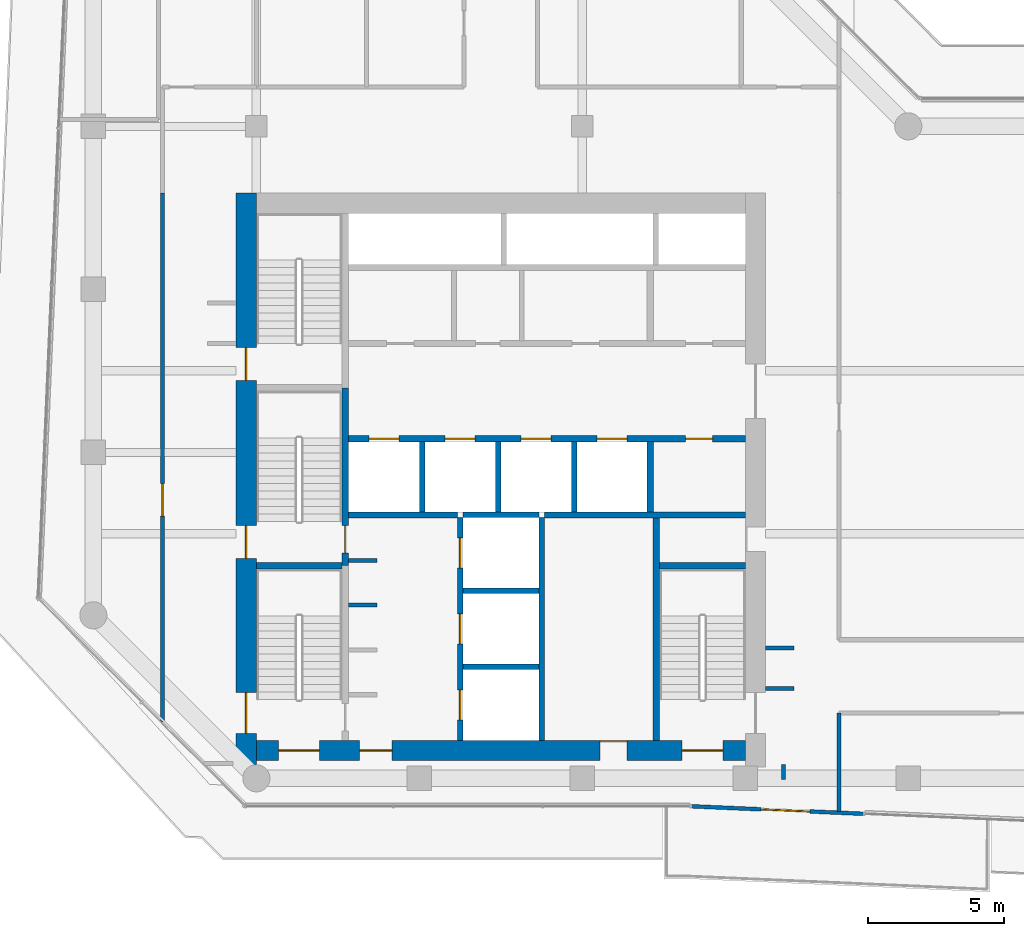
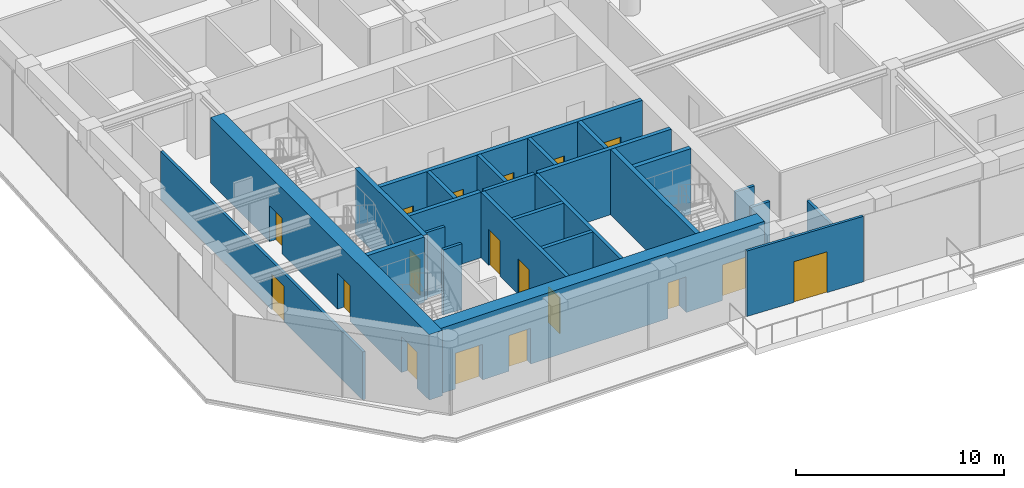
# One storey, part 20 of 25: 26 walls, 18 doors, 18 openings.
"""IFC4 building model written with IfcOpenShell, lengths in metres."""

from ifc_helpers import new_model, si_unit, direction, frame, frame_2d, origin, place, context, subcontext, project, spatial, rectangle, extrude, material, layer, layer_set, type_object, element, fill, save


model = new_model("IFC4")

# Units and contexts
model_context = context("Model", 3, precision=1e-05, world=origin(), true_north=direction((0.0, 1.0)))
body_context = subcontext(model_context, "Body", "Model", "MODEL_VIEW")
ifc_project = project(units=[si_unit("LENGTHUNIT", "METRE"), si_unit("AREAUNIT", "SQUARE_METRE"), si_unit("VOLUMEUNIT", "CUBIC_METRE"), si_unit("PLANEANGLEUNIT", "RADIAN"), si_unit("MASSUNIT", "GRAM", prefix="KILO")], contexts=[model_context])

# Site, building, storey
site_placement = place(None, origin())
site = spatial("IfcSite", under=ifc_project, at=site_placement, CompositionType="ELEMENT")
building_placement = place(site_placement, origin())
building = spatial("IfcBuilding", under=site, at=building_placement, Name="Welwitschia Terrace Campus", CompositionType="ELEMENT")
storey_placement = place(building_placement, frame((0.0, 0.0, 121.39990234375)))
storey = spatial("IfcBuildingStorey", under=building, at=storey_placement, Name="L27", CompositionType="ELEMENT", Elevation=121.39990234375)

# Wall, opening, door
ifc_material_1 = material(Name="Concrete C40/50", Category="concrete")
ifc_layer_1 = layer(ifc_material_1, 0.139892578125)
ifc_layer_set_1 = layer_set([ifc_layer_1], Name="Concrete C40/50")
wall_type_1 = type_object("IfcWallType", Name="Clad wall 140", PredefinedType="SOLIDWALL", material=ifc_layer_set_1)
wall_1_placement = place(storey_placement, frame((22.019775390625, 2.969970703125, 0.0), z_axis=(0.0, 0.0, 1.0), x_axis=(0.999048576726, -0.043611252471, 0.0)))
wall_1 = element("IfcWall", 1, at=wall_1_placement, inside=storey, type_object=wall_type_1, Name="Clad wall L27.terrace door 0", PredefinedType="SOLIDWALL", context=body_context, shape_type="SweptSolid", body=[
    extrude(rectangle(XDim=6.33154296875, YDim=0.139892578125, at=frame_2d((3.165771484375, 0.0))), origin(), (0.0, 0.0, 1.0), 3.85009765625),
])
opening_1_placement = place(wall_1_placement, frame((2.56591796875, 0.0, 0.0)))
opening_1 = element("IfcOpeningElement", 2, at=opening_1_placement, cuts=wall_1, Name="Opening DE3", PredefinedType="OPENING", context=body_context, shape_type="SweptSolid", body=[
    extrude(rectangle(XDim=1.800048828125, YDim=2.39990234375, at=frame_2d((0.89990234375, 1.199951171875))), frame((0.0, 0.079833984375, 0.0), z_axis=(0.0, -1.0, 0.0), x_axis=(1.0, 0.0, 0.0)), (0.0, 0.0, 1.0), 0.159912109375),
])
ifc_material_2 = material(Name="Bronze anodised aluminium and glass", Category="aluminium")
door_type_1 = type_object("IfcDoorType", Name="Terrace door 1800x2400", OperationType="DOUBLE_DOOR_DOUBLE_SWING", PredefinedType="DOOR", material=ifc_material_2)
door_1_placement = place(opening_1_placement, origin())
door_1 = element("IfcDoor", 3, at=door_1_placement, inside=storey, type_object=door_type_1, Name="Door L27:T0", OperationType="DOUBLE_DOOR_DOUBLE_SWING", OverallHeight=2.39990234375, OverallWidth=1.800048828125, PredefinedType="DOOR", context=body_context, shape_type="SweptSolid", body=[
    extrude(rectangle(XDim=1.800048828125, YDim=2.39990234375, at=frame_2d((0.89990234375, 1.199951171875))), frame((0.0, 0.02490234375, 0.0), z_axis=(0.0, -1.0, 0.0), x_axis=(1.0, 0.0, 0.0)), (0.0, 0.0, 1.0), 0.050048828125),
])
fill(opening_1, door_1)

# Walls
ifc_material_3 = material(Name="Concrete C32/40", Category="concrete")
ifc_layer_2 = layer(ifc_material_3, 0.22509765625)
ifc_layer_set_2 = layer_set([ifc_layer_2], Name="Concrete C32/40")
wall_type_2 = type_object("IfcWallType", Name="Core partition 225 Concrete C32/40", PredefinedType="PARTITIONING", material=ifc_layer_set_2)
wall_2_placement = place(storey_placement, frame((9.39990234375, 13.699951171875, 0.0), z_axis=(0.0, 0.0, 1.0), x_axis=(1.0, 0.0, 0.0)))
element("IfcWall", 4, at=wall_2_placement, inside=storey, type_object=wall_type_2, Name="Shaft wall", PredefinedType="PARTITIONING", context=body_context, shape_type="SweptSolid", body=[
    extrude(rectangle(XDim=4.0, YDim=0.22509765625, at=frame_2d((2.0, 0.0))), origin(), (0.0, 0.0, 1.0), 3.85009765625),
])
wall_3_placement = place(storey_placement, frame((16.60009765625, 13.699951171875, 0.0), z_axis=(0.0, 0.0, 1.0), x_axis=(1.0, 0.0, 0.0)))
element("IfcWall", 5, at=wall_3_placement, inside=storey, type_object=wall_type_2, Name="Shaft wall", PredefinedType="PARTITIONING", context=body_context, shape_type="SweptSolid", body=[
    extrude(rectangle(XDim=7.39990234375, YDim=0.22509765625, at=frame_2d((3.699951171875, 0.0))), origin(), (0.0, 0.0, 1.0), 3.85009765625),
])

# Wall, openings, doors
wall_4_placement = place(storey_placement, frame((9.39990234375, 16.5, 0.0), z_axis=(0.0, 0.0, 1.0), x_axis=(1.0, 0.0, 0.0)))
wall_4 = element("IfcWall", 6, at=wall_4_placement, inside=storey, type_object=wall_type_2, Name="Shaft wall", PredefinedType="PARTITIONING", context=body_context, shape_type="SweptSolid", body=[
    extrude(rectangle(XDim=14.60009765625, YDim=0.22509765625, at=frame_2d((7.300048828125, 0.0))), origin(), (0.0, 0.0, 1.0), 3.85009765625),
])
opening_2_placement = place(wall_4_placement, frame((0.75, 0.0, 0.0)))
opening_2 = element("IfcOpeningElement", 7, at=opening_2_placement, cuts=wall_4, Name="Opening LD", PredefinedType="OPENING", context=body_context, shape_type="SweptSolid", body=[
    extrude(rectangle(XDim=1.10009765625, YDim=2.10009765625, at=frame_2d((0.550048828125, 1.050048828125))), frame((0.0, 0.12255859375, 0.0), z_axis=(0.0, -1.0, 0.0), x_axis=(1.0, 0.0, 0.0)), (0.0, 0.0, 1.0), 0.2451171875),
])
opening_3_placement = place(wall_4_placement, frame((3.550048828125, 0.0, 0.0)))
opening_3 = element("IfcOpeningElement", 8, at=opening_3_placement, cuts=wall_4, Name="Opening LD", PredefinedType="OPENING", context=body_context, shape_type="SweptSolid", body=[
    extrude(rectangle(XDim=1.10009765625, YDim=2.10009765625, at=frame_2d((0.550048828125, 1.050048828125))), frame((0.0, 0.12255859375, 0.0), z_axis=(0.0, -1.0, 0.0), x_axis=(1.0, 0.0, 0.0)), (0.0, 0.0, 1.0), 0.2451171875),
])
opening_4_placement = place(wall_4_placement, frame((6.35009765625, 0.0, 0.0)))
opening_4 = element("IfcOpeningElement", 9, at=opening_4_placement, cuts=wall_4, Name="Opening LD", PredefinedType="OPENING", context=body_context, shape_type="SweptSolid", body=[
    extrude(rectangle(XDim=1.10009765625, YDim=2.10009765625, at=frame_2d((0.550048828125, 1.050048828125))), frame((0.0, 0.12255859375, 0.0), z_axis=(0.0, -1.0, 0.0), x_axis=(1.0, 0.0, 0.0)), (0.0, 0.0, 1.0), 0.2451171875),
])
opening_5_placement = place(wall_4_placement, frame((9.14990234375, 0.0, 0.0)))
opening_5 = element("IfcOpeningElement", 10, at=opening_5_placement, cuts=wall_4, Name="Opening LD", PredefinedType="OPENING", context=body_context, shape_type="SweptSolid", body=[
    extrude(rectangle(XDim=1.10009765625, YDim=2.10009765625, at=frame_2d((0.550048828125, 1.050048828125))), frame((0.0, 0.12255859375, 0.0), z_axis=(0.0, -1.0, 0.0), x_axis=(1.0, 0.0, 0.0)), (0.0, 0.0, 1.0), 0.2451171875),
])
opening_6_placement = place(wall_4_placement, frame((12.39990234375, 0.0, 0.0)))
opening_6 = element("IfcOpeningElement", 11, at=opening_6_placement, cuts=wall_4, Name="Opening DR10", PredefinedType="OPENING", context=body_context, shape_type="SweptSolid", body=[
    extrude(rectangle(XDim=1.0, YDim=2.10009765625, at=frame_2d((0.5, 1.050048828125))), frame((0.0, 0.12255859375, 0.0), z_axis=(0.0, -1.0, 0.0), x_axis=(1.0, 0.0, 0.0)), (0.0, 0.0, 1.0), 0.2451171875),
])
ifc_material_4 = material(Name="Steel S275", Category="steel")
door_type_2 = type_object("IfcDoorType", Name="Core door DR10", OperationType="SINGLE_SWING_LEFT", PredefinedType="DOOR", material=ifc_material_4)
door_2_placement = place(opening_6_placement, origin())
door_2 = element("IfcDoor", 12, at=door_2_placement, inside=storey, type_object=door_type_2, Name="Door EL-D", OperationType="SINGLE_SWING_RIGHT", OverallHeight=2.10009765625, OverallWidth=1.0, PredefinedType="DOOR", context=body_context, shape_type="SweptSolid", body=[
    extrude(rectangle(XDim=1.0, YDim=2.10009765625, at=frame_2d((0.5, 1.050048828125))), frame((0.0, 0.02490234375, 0.0), z_axis=(0.0, -1.0, 0.0), x_axis=(1.0, 0.0, 0.0)), (0.0, 0.0, 1.0), 0.050048828125),
])
fill(opening_6, door_2)
ifc_material_5 = material(Name="Stainless steel 304", Category="steel")
door_type_3 = type_object("IfcDoorType", Name="Lift landing door", OperationType="DOUBLE_DOOR_SLIDING", PredefinedType="DOOR", material=ifc_material_5)
door_3_placement = place(opening_2_placement, origin())
door_3 = element("IfcDoor", 13, at=door_3_placement, inside=storey, type_object=door_type_3, Name="Landing door LR1", OperationType="DOUBLE_DOOR_SLIDING", OverallHeight=2.10009765625, OverallWidth=1.10009765625, PredefinedType="DOOR", context=body_context, shape_type="SweptSolid", body=[
    extrude(rectangle(XDim=1.10009765625, YDim=2.10009765625, at=frame_2d((0.550048828125, 1.050048828125))), frame((0.0, 0.02490234375, 0.0), z_axis=(0.0, -1.0, 0.0), x_axis=(1.0, 0.0, 0.0)), (0.0, 0.0, 1.0), 0.050048828125),
])
fill(opening_2, door_3)
door_4_placement = place(opening_3_placement, origin())
door_4 = element("IfcDoor", 14, at=door_4_placement, inside=storey, type_object=door_type_3, Name="Landing door LR2", OperationType="DOUBLE_DOOR_SLIDING", OverallHeight=2.10009765625, OverallWidth=1.10009765625, PredefinedType="DOOR", context=body_context, shape_type="SweptSolid", body=[
    extrude(rectangle(XDim=1.10009765625, YDim=2.10009765625, at=frame_2d((0.550048828125, 1.050048828125))), frame((0.0, 0.02490234375, 0.0), z_axis=(0.0, -1.0, 0.0), x_axis=(1.0, 0.0, 0.0)), (0.0, 0.0, 1.0), 0.050048828125),
])
fill(opening_3, door_4)
door_5_placement = place(opening_4_placement, origin())
door_5 = element("IfcDoor", 15, at=door_5_placement, inside=storey, type_object=door_type_3, Name="Landing door LR3", OperationType="DOUBLE_DOOR_SLIDING", OverallHeight=2.10009765625, OverallWidth=1.10009765625, PredefinedType="DOOR", context=body_context, shape_type="SweptSolid", body=[
    extrude(rectangle(XDim=1.10009765625, YDim=2.10009765625, at=frame_2d((0.550048828125, 1.050048828125))), frame((0.0, 0.02490234375, 0.0), z_axis=(0.0, -1.0, 0.0), x_axis=(1.0, 0.0, 0.0)), (0.0, 0.0, 1.0), 0.050048828125),
])
fill(opening_4, door_5)
door_6_placement = place(opening_5_placement, origin())
door_6 = element("IfcDoor", 16, at=door_6_placement, inside=storey, type_object=door_type_3, Name="Landing door LR4", OperationType="DOUBLE_DOOR_SLIDING", OverallHeight=2.10009765625, OverallWidth=1.10009765625, PredefinedType="DOOR", context=body_context, shape_type="SweptSolid", body=[
    extrude(rectangle(XDim=1.10009765625, YDim=2.10009765625, at=frame_2d((0.550048828125, 1.050048828125))), frame((0.0, 0.02490234375, 0.0), z_axis=(0.0, -1.0, 0.0), x_axis=(1.0, 0.0, 0.0)), (0.0, 0.0, 1.0), 0.050048828125),
])
fill(opening_5, door_6)

# Walls
wall_5_placement = place(storey_placement, frame((20.5, 13.800048828125, 0.0), z_axis=(0.0, 0.0, 1.0), x_axis=(0.0, 1.0, 0.0)))
element("IfcWall", 17, at=wall_5_placement, inside=storey, type_object=wall_type_2, Name="Shaft wall", PredefinedType="PARTITIONING", context=body_context, shape_type="SweptSolid", body=[
    extrude(rectangle(XDim=2.599853515625, YDim=0.22509765625, at=frame_2d((1.2998046875, 0.0))), origin(), (0.0, 0.0, 1.0), 3.85009765625),
])
ifc_material_6 = material(Name="Concrete C50/60", Category="concrete")
ifc_layer_3 = layer(ifc_material_6, 0.14990234375)
ifc_layer_set_3 = layer_set([ifc_layer_3], Name="Concrete C50/60")
wall_type_3 = type_object("IfcWallType", Name="Core wall 150 Concrete C50/60", PredefinedType="SHEAR", material=ifc_layer_set_3)
for number, where, z_axis, x_axis, name in (
    (18, (9.39990234375, 10.375, 0.0), (0.0, 0.0, 1.0), (1.0, 0.0, 0.0), "Core wall"),
    (19, (9.39990234375, 12.02490234375, 0.0), (0.0, 0.0, 1.0), (1.0, 0.0, 0.0), "Core wall"),
):
    element("IfcWall", number, at=place(storey_placement, frame(where, z_axis=z_axis, x_axis=x_axis)), inside=storey, type_object=wall_type_3, Name=name, PredefinedType="SHEAR", context=body_context, shape_type="SweptSolid", body=[
        extrude(rectangle(XDim=1.050048828125, YDim=0.14990234375, at=frame_2d((0.52490234375, 0.0))), origin(), (0.0, 0.0, 1.0), 3.85009765625),
    ])
ifc_material_7 = material(Name="Concrete C50/60", Category="concrete")
ifc_layer_4 = layer(ifc_material_7, 0.199951171875)
ifc_layer_set_4 = layer_set([ifc_layer_4], Name="Concrete C50/60")
wall_type_4 = type_object("IfcWallType", Name="Core wall 200 Concrete C50/60", PredefinedType="SHEAR", material=ifc_layer_set_4)
for number, where, z_axis, x_axis, name in (
    (20, (13.60009765625, 8.10009765625, 0.0), (0.0, 0.0, 1.0), (1.0, 0.0, 0.0), "Core wall"),
    (21, (13.60009765625, 10.89990234375, 0.0), (0.0, 0.0, 1.0), (1.0, 0.0, 0.0), "Core wall"),
    (22, (13.60009765625, 13.699951171875, 0.0), (0.0, 0.0, 1.0), (1.0, 0.0, 0.0), "Core wall"),
):
    element("IfcWall", number, at=place(storey_placement, frame(where, z_axis=z_axis, x_axis=x_axis)), inside=storey, type_object=wall_type_4, Name=name, PredefinedType="SHEAR", context=body_context, shape_type="SweptSolid", body=[
        extrude(rectangle(XDim=2.7998046875, YDim=0.199951171875, at=frame_2d((1.39990234375, 0.0))), origin(), (0.0, 0.0, 1.0), 3.85009765625),
    ])

# Wall, openings, doors
wall_6_placement = place(storey_placement, frame((13.5, 5.39990234375, 0.0), z_axis=(0.0, 0.0, 1.0), x_axis=(0.0, 1.0, 0.0)))
wall_6 = element("IfcWall", 23, at=wall_6_placement, inside=storey, type_object=wall_type_4, Name="Core wall", PredefinedType="SHEAR", context=body_context, shape_type="SweptSolid", body=[
    extrude(rectangle(XDim=8.2001953125, YDim=0.199951171875, at=frame_2d((4.10009765625, 0.0))), origin(), (0.0, 0.0, 1.0), 3.85009765625),
])
opening_7_placement = place(wall_6_placement, frame((0.75, 0.0, 0.0)))
opening_7 = element("IfcOpeningElement", 24, at=opening_7_placement, cuts=wall_6, Name="Opening LD", PredefinedType="OPENING", context=body_context, shape_type="SweptSolid", body=[
    extrude(rectangle(XDim=1.10009765625, YDim=2.10009765625, at=frame_2d((0.550048828125, 1.050048828125))), frame((0.0, 0.10986328125, 0.0), z_axis=(0.0, -1.0, 0.0), x_axis=(1.0, 0.0, 0.0)), (0.0, 0.0, 1.0), 0.219970703125),
])
opening_8_placement = place(wall_6_placement, frame((3.550048828125, 0.0, 0.0)))
opening_8 = element("IfcOpeningElement", 25, at=opening_8_placement, cuts=wall_6, Name="Opening LD", PredefinedType="OPENING", context=body_context, shape_type="SweptSolid", body=[
    extrude(rectangle(XDim=1.10009765625, YDim=2.10009765625, at=frame_2d((0.550048828125, 1.050048828125))), frame((0.0, 0.10986328125, 0.0), z_axis=(0.0, -1.0, 0.0), x_axis=(1.0, 0.0, 0.0)), (0.0, 0.0, 1.0), 0.219970703125),
])
opening_9_placement = place(wall_6_placement, frame((6.35009765625, 0.0, 0.0)))
opening_9 = element("IfcOpeningElement", 26, at=opening_9_placement, cuts=wall_6, Name="Opening LD", PredefinedType="OPENING", context=body_context, shape_type="SweptSolid", body=[
    extrude(rectangle(XDim=1.10009765625, YDim=2.10009765625, at=frame_2d((0.550048828125, 1.050048828125))), frame((0.0, 0.10986328125, 0.0), z_axis=(0.0, -1.0, 0.0), x_axis=(1.0, 0.0, 0.0)), (0.0, 0.0, 1.0), 0.219970703125),
])
door_7_placement = place(opening_7_placement, origin())
door_7 = element("IfcDoor", 27, at=door_7_placement, inside=storey, type_object=door_type_3, Name="Landing door FF1", OperationType="DOUBLE_DOOR_SLIDING", OverallHeight=2.10009765625, OverallWidth=1.10009765625, PredefinedType="DOOR", context=body_context, shape_type="SweptSolid", body=[
    extrude(rectangle(XDim=1.10009765625, YDim=2.10009765625, at=frame_2d((0.550048828125, 1.050048828125))), frame((0.0, 0.02490234375, 0.0), z_axis=(0.0, -1.0, 0.0), x_axis=(1.0, 0.0, 0.0)), (0.0, 0.0, 1.0), 0.050048828125),
])
fill(opening_7, door_7)
door_8_placement = place(opening_8_placement, origin())
door_8 = element("IfcDoor", 28, at=door_8_placement, inside=storey, type_object=door_type_3, Name="Landing door FF2", OperationType="DOUBLE_DOOR_SLIDING", OverallHeight=2.10009765625, OverallWidth=1.10009765625, PredefinedType="DOOR", context=body_context, shape_type="SweptSolid", body=[
    extrude(rectangle(XDim=1.10009765625, YDim=2.10009765625, at=frame_2d((0.550048828125, 1.050048828125))), frame((0.0, 0.02490234375, 0.0), z_axis=(0.0, -1.0, 0.0), x_axis=(1.0, 0.0, 0.0)), (0.0, 0.0, 1.0), 0.050048828125),
])
fill(opening_8, door_8)
door_9_placement = place(opening_9_placement, origin())
door_9 = element("IfcDoor", 29, at=door_9_placement, inside=storey, type_object=door_type_3, Name="Landing door SV1", OperationType="DOUBLE_DOOR_SLIDING", OverallHeight=2.10009765625, OverallWidth=1.10009765625, PredefinedType="DOOR", context=body_context, shape_type="SweptSolid", body=[
    extrude(rectangle(XDim=1.10009765625, YDim=2.10009765625, at=frame_2d((0.550048828125, 1.050048828125))), frame((0.0, 0.02490234375, 0.0), z_axis=(0.0, -1.0, 0.0), x_axis=(1.0, 0.0, 0.0)), (0.0, 0.0, 1.0), 0.050048828125),
])
fill(opening_9, door_9)

# Walls
wall_7_placement = place(storey_placement, frame((16.5, 5.39990234375, 0.0), z_axis=(0.0, 0.0, 1.0), x_axis=(0.0, 1.0, 0.0)))
element("IfcWall", 30, at=wall_7_placement, inside=storey, type_object=wall_type_4, Name="Core wall", PredefinedType="SHEAR", context=body_context, shape_type="SweptSolid", body=[
    extrude(rectangle(XDim=8.2001953125, YDim=0.199951171875, at=frame_2d((4.10009765625, 0.0))), origin(), (0.0, 0.0, 1.0), 3.85009765625),
])
ifc_material_8 = material(Name="Concrete C50/60", Category="concrete")
ifc_layer_5 = layer(ifc_material_8, 0.25)
ifc_layer_set_5 = layer_set([ifc_layer_5], Name="Concrete C50/60")
wall_type_5 = type_object("IfcWallType", Name="Core wall 250 Concrete C50/60", PredefinedType="SHEAR", material=ifc_layer_set_5)
for number, where, z_axis, x_axis, name in (
    (31, (6.0, 11.824951171875, 0.0), (0.0, 0.0, 1.0), (1.0, 0.0, 0.0), "Core wall"),
    (32, (20.85009765625, 11.824951171875, 0.0), (0.0, 0.0, 1.0), (1.0, 0.0, 0.0), "Core wall"),
):
    element("IfcWall", number, at=place(storey_placement, frame(where, z_axis=z_axis, x_axis=x_axis)), inside=storey, type_object=wall_type_5, Name=name, PredefinedType="SHEAR", context=body_context, shape_type="SweptSolid", body=[
        extrude(rectangle(XDim=3.14990234375, YDim=0.25, at=frame_2d((1.574951171875, 0.0))), origin(), (0.0, 0.0, 1.0), 3.85009765625),
    ])

# Wall, opening, door
wall_8_placement = place(storey_placement, frame((9.27490234375, 18.375, 0.0), z_axis=(0.0, 0.0, 1.0), x_axis=(0.0, -1.0, 0.0)))
wall_8 = element("IfcWall", 33, at=wall_8_placement, inside=storey, type_object=wall_type_5, Name="Core wall", PredefinedType="SHEAR", context=body_context, shape_type="SweptSolid", body=[
    extrude(rectangle(XDim=6.550048828125, YDim=0.25, at=frame_2d((3.27490234375, 0.0))), origin(), (0.0, 0.0, 1.0), 3.85009765625),
])
opening_10_placement = place(wall_8_placement, frame((5.074951171875, 0.0, 0.0)))
opening_10 = element("IfcOpeningElement", 34, at=opening_10_placement, cuts=wall_8, Name="Opening DS10", PredefinedType="OPENING", context=body_context, shape_type="SweptSolid", body=[
    extrude(rectangle(XDim=1.0, YDim=2.10009765625, at=frame_2d((0.5, 1.050048828125))), frame((0.0, 0.135009765625, 0.0), z_axis=(0.0, -1.0, 0.0), x_axis=(1.0, 0.0, 0.0)), (0.0, 0.0, 1.0), 0.27001953125),
])
ifc_material_9 = material(Name="Steel S275", Category="steel")
door_type_4 = type_object("IfcDoorType", Name="Core door DS10", OperationType="SINGLE_SWING_LEFT", PredefinedType="DOOR", material=ifc_material_9)
door_10_placement = place(opening_10_placement, origin())
door_10 = element("IfcDoor", 35, at=door_10_placement, inside=storey, type_object=door_type_4, Name="Door S3-FL", OperationType="SINGLE_SWING_RIGHT", OverallHeight=2.10009765625, OverallWidth=1.0, PredefinedType="DOOR", context=body_context, shape_type="SweptSolid", body=[
    extrude(rectangle(XDim=1.0, YDim=2.10009765625, at=frame_2d((0.5, 1.050048828125))), frame((0.0, 0.02490234375, 0.0), z_axis=(0.0, -1.0, 0.0), x_axis=(1.0, 0.0, 0.0)), (0.0, 0.0, 1.0), 0.050048828125),
])
fill(opening_10, door_10)

# Wall
wall_9_placement = place(storey_placement, frame((20.72509765625, 5.39990234375, 0.0), z_axis=(0.0, 0.0, 1.0), x_axis=(0.0, 1.0, 0.0)))
element("IfcWall", 36, at=wall_9_placement, inside=storey, type_object=wall_type_5, Name="Core wall", PredefinedType="SHEAR", context=body_context, shape_type="SweptSolid", body=[
    extrude(rectangle(XDim=8.2001953125, YDim=0.25, at=frame_2d((4.10009765625, 0.0))), origin(), (0.0, 0.0, 1.0), 3.85009765625),
])

# Wall, openings, doors
ifc_material_10 = material(Name="Concrete C70/85", Category="concrete")
ifc_layer_6 = layer(ifc_material_10, 0.75)
ifc_layer_set_6 = layer_set([ifc_layer_6], Name="Concrete C70/85")
wall_type_6 = type_object("IfcWallType", Name="Core wall 750 Concrete C70/85", PredefinedType="SHEAR", material=ifc_layer_set_6)
wall_10_placement = place(storey_placement, frame((5.625, 4.469970703125, 0.0), z_axis=(0.0, 0.0, 1.0), x_axis=(0.0, 1.0, 0.0)))
wall_10 = element("IfcWall", 37, at=wall_10_placement, inside=storey, type_object=wall_type_6, Name="Core outer wall", PredefinedType="SHEAR", context=body_context, shape_type="SweptSolid", body=[
    extrude(rectangle(XDim=21.080078125, YDim=0.75, at=frame_2d((10.5400390625, 0.0))), origin(), (0.0, 0.0, 1.0), 3.85009765625),
])
opening_11_placement = place(wall_10_placement, frame((1.179931640625, 0.0, 0.0)))
opening_11 = element("IfcOpeningElement", 38, at=opening_11_placement, cuts=wall_10, Name="Opening DS15", PredefinedType="OPENING", context=body_context, shape_type="SweptSolid", body=[
    extrude(rectangle(XDim=1.5, YDim=2.10009765625, at=frame_2d((0.75, 1.050048828125))), frame((0.0, 0.385009765625, 0.0), z_axis=(0.0, -1.0, 0.0), x_axis=(1.0, 0.0, 0.0)), (0.0, 0.0, 1.0), 0.77001953125),
])
opening_12_placement = place(wall_10_placement, frame((7.6298828125, 0.0, 0.0)))
opening_12 = element("IfcOpeningElement", 39, at=opening_12_placement, cuts=wall_10, Name="Opening DS12", PredefinedType="OPENING", context=body_context, shape_type="SweptSolid", body=[
    extrude(rectangle(XDim=1.199951171875, YDim=2.10009765625, at=frame_2d((0.60009765625, 1.050048828125))), frame((0.0, 0.385009765625, 0.0), z_axis=(0.0, -1.0, 0.0), x_axis=(1.0, 0.0, 0.0)), (0.0, 0.0, 1.0), 0.77001953125),
])
opening_13_placement = place(wall_10_placement, frame((14.179931640625, 0.0, 0.0)))
opening_13 = element("IfcOpeningElement", 40, at=opening_13_placement, cuts=wall_10, Name="Opening DS12", PredefinedType="OPENING", context=body_context, shape_type="SweptSolid", body=[
    extrude(rectangle(XDim=1.199951171875, YDim=2.10009765625, at=frame_2d((0.60009765625, 1.050048828125))), frame((0.0, 0.385009765625, 0.0), z_axis=(0.0, -1.0, 0.0), x_axis=(1.0, 0.0, 0.0)), (0.0, 0.0, 1.0), 0.77001953125),
])
ifc_material_11 = material(Name="Steel S275", Category="steel")
door_type_5 = type_object("IfcDoorType", Name="Core door DS12", OperationType="SINGLE_SWING_LEFT", PredefinedType="DOOR", material=ifc_material_11)
door_11_placement = place(opening_12_placement, origin())
door_11 = element("IfcDoor", 41, at=door_11_placement, inside=storey, type_object=door_type_5, Name="Door S3-out", OperationType="SINGLE_SWING_LEFT", OverallHeight=2.10009765625, OverallWidth=1.199951171875, PredefinedType="DOOR", context=body_context, shape_type="SweptSolid", body=[
    extrude(rectangle(XDim=1.199951171875, YDim=2.10009765625, at=frame_2d((0.60009765625, 1.050048828125))), frame((0.0, 0.02490234375, 0.0), z_axis=(0.0, -1.0, 0.0), x_axis=(1.0, 0.0, 0.0)), (0.0, 0.0, 1.0), 0.050048828125),
])
fill(opening_12, door_11)
door_12_placement = place(opening_13_placement, origin())
door_12 = element("IfcDoor", 42, at=door_12_placement, inside=storey, type_object=door_type_5, Name="Door S4-out", OperationType="SINGLE_SWING_RIGHT", OverallHeight=2.10009765625, OverallWidth=1.199951171875, PredefinedType="DOOR", context=body_context, shape_type="SweptSolid", body=[
    extrude(rectangle(XDim=1.199951171875, YDim=2.10009765625, at=frame_2d((0.60009765625, 1.050048828125))), frame((0.0, 0.02490234375, 0.0), z_axis=(0.0, -1.0, 0.0), x_axis=(1.0, 0.0, 0.0)), (0.0, 0.0, 1.0), 0.050048828125),
])
fill(opening_13, door_12)
ifc_material_12 = material(Name="Steel S275", Category="steel")
door_type_6 = type_object("IfcDoorType", Name="Core door DS15", OperationType="DOUBLE_DOOR_SINGLE_SWING", PredefinedType="DOOR", material=ifc_material_12)
door_13_placement = place(opening_11_placement, origin())
door_13 = element("IfcDoor", 43, at=door_13_placement, inside=storey, type_object=door_type_6, Name="Door S1-out", OperationType="DOUBLE_DOOR_SINGLE_SWING", OverallHeight=2.10009765625, OverallWidth=1.5, PredefinedType="DOOR", context=body_context, shape_type="SweptSolid", body=[
    extrude(rectangle(XDim=1.5, YDim=2.10009765625, at=frame_2d((0.75, 1.050048828125))), frame((0.0, 0.02490234375, 0.0), z_axis=(0.0, -1.0, 0.0), x_axis=(1.0, 0.0, 0.0)), (0.0, 0.0, 1.0), 0.050048828125),
])
fill(opening_11, door_13)

wall_11_placement = place(storey_placement, frame((24.0, 5.02490234375, 0.0), z_axis=(0.0, 0.0, 1.0), x_axis=(-1.0, 0.0, 0.0)))
wall_11 = element("IfcWall", 44, at=wall_11_placement, inside=storey, type_object=wall_type_6, Name="Core outer wall", PredefinedType="SHEAR", context=body_context, shape_type="SweptSolid", body=[
    extrude(rectangle(XDim=18.0, YDim=0.75, at=frame_2d((9.0, 0.0))), origin(), (0.0, 0.0, 1.0), 3.85009765625),
])
opening_14_placement = place(wall_11_placement, frame((0.824951171875, 0.0, 0.0)))
opening_14 = element("IfcOpeningElement", 45, at=opening_14_placement, cuts=wall_11, Name="Opening DS15", PredefinedType="OPENING", context=body_context, shape_type="SweptSolid", body=[
    extrude(rectangle(XDim=1.5, YDim=2.10009765625, at=frame_2d((0.75, 1.050048828125))), frame((0.0, 0.385009765625, 0.0), z_axis=(0.0, -1.0, 0.0), x_axis=(1.0, 0.0, 0.0)), (0.0, 0.0, 1.0), 0.77001953125),
])
opening_15_placement = place(wall_11_placement, frame((15.675048828125, 0.0, 0.0)))
opening_15 = element("IfcOpeningElement", 46, at=opening_15_placement, cuts=wall_11, Name="Opening DS15", PredefinedType="OPENING", context=body_context, shape_type="SweptSolid", body=[
    extrude(rectangle(XDim=1.5, YDim=2.10009765625, at=frame_2d((0.75, 1.050048828125))), frame((0.0, 0.385009765625, 0.0), z_axis=(0.0, -1.0, 0.0), x_axis=(1.0, 0.0, 0.0)), (0.0, 0.0, 1.0), 0.77001953125),
])
opening_16_placement = place(wall_11_placement, frame((13.0, 0.0, 0.0)))
opening_16 = element("IfcOpeningElement", 47, at=opening_16_placement, cuts=wall_11, Name="Opening DF12", PredefinedType="OPENING", context=body_context, shape_type="SweptSolid", body=[
    extrude(rectangle(XDim=1.199951171875, YDim=2.10009765625, at=frame_2d((0.60009765625, 1.050048828125))), frame((0.0, 0.385009765625, 0.0), z_axis=(0.0, -1.0, 0.0), x_axis=(1.0, 0.0, 0.0)), (0.0, 0.0, 1.0), 0.77001953125),
])
opening_17_placement = place(wall_11_placement, frame((4.35009765625, 0.0, 0.0)))
opening_17 = element("IfcOpeningElement", 48, at=opening_17_placement, cuts=wall_11, Name="Opening DR10", PredefinedType="OPENING", context=body_context, shape_type="SweptSolid", body=[
    extrude(rectangle(XDim=1.0, YDim=2.10009765625, at=frame_2d((0.5, 1.050048828125))), frame((0.0, 0.385009765625, 0.0), z_axis=(0.0, -1.0, 0.0), x_axis=(1.0, 0.0, 0.0)), (0.0, 0.0, 1.0), 0.77001953125),
])
ifc_material_13 = material(Name="Steel S275", Category="steel")
door_type_7 = type_object("IfcDoorType", Name="Core door DF12", OperationType="SINGLE_SWING_LEFT", PredefinedType="DOOR", material=ifc_material_13)
door_14_placement = place(opening_16_placement, origin())
door_14 = element("IfcDoor", 49, at=door_14_placement, inside=storey, type_object=door_type_7, Name="Door FL-out", OperationType="SINGLE_SWING_RIGHT", OverallHeight=2.10009765625, OverallWidth=1.199951171875, PredefinedType="DOOR", context=body_context, shape_type="SweptSolid", body=[
    extrude(rectangle(XDim=1.199951171875, YDim=2.10009765625, at=frame_2d((0.60009765625, 1.050048828125))), frame((0.0, 0.02490234375, 0.0), z_axis=(0.0, -1.0, 0.0), x_axis=(1.0, 0.0, 0.0)), (0.0, 0.0, 1.0), 0.050048828125),
])
fill(opening_16, door_14)
door_15_placement = place(opening_17_placement, origin())
door_15 = element("IfcDoor", 50, at=door_15_placement, inside=storey, type_object=door_type_2, Name="Door F1-out", OperationType="SINGLE_SWING_LEFT", OverallHeight=2.10009765625, OverallWidth=1.0, PredefinedType="DOOR", context=body_context, shape_type="SweptSolid", body=[
    extrude(rectangle(XDim=1.0, YDim=2.10009765625, at=frame_2d((0.5, 1.050048828125))), frame((0.0, -0.31494140625, 0.0), z_axis=(0.0, -1.0, 0.0), x_axis=(1.0, 0.0, 0.0)), (0.0, 0.0, 1.0), 0.050048828125),
])
fill(opening_17, door_15)
door_16_placement = place(opening_14_placement, origin())
door_16 = element("IfcDoor", 51, at=door_16_placement, inside=storey, type_object=door_type_6, Name="Door S2-outS", OperationType="DOUBLE_DOOR_SINGLE_SWING", OverallHeight=2.10009765625, OverallWidth=1.5, PredefinedType="DOOR", context=body_context, shape_type="SweptSolid", body=[
    extrude(rectangle(XDim=1.5, YDim=2.10009765625, at=frame_2d((0.75, 1.050048828125))), frame((0.0, 0.02490234375, 0.0), z_axis=(0.0, -1.0, 0.0), x_axis=(1.0, 0.0, 0.0)), (0.0, 0.0, 1.0), 0.050048828125),
])
fill(opening_14, door_16)
door_17_placement = place(opening_15_placement, origin())
door_17 = element("IfcDoor", 52, at=door_17_placement, inside=storey, type_object=door_type_6, Name="Door S1-outS", OperationType="DOUBLE_DOOR_SINGLE_SWING", OverallHeight=2.10009765625, OverallWidth=1.5, PredefinedType="DOOR", context=body_context, shape_type="SweptSolid", body=[
    extrude(rectangle(XDim=1.5, YDim=2.10009765625, at=frame_2d((0.75, 1.050048828125))), frame((0.0, 0.02490234375, 0.0), z_axis=(0.0, -1.0, 0.0), x_axis=(1.0, 0.0, 0.0)), (0.0, 0.0, 1.0), 0.050048828125),
])
fill(opening_15, door_17)

# Wall, opening, door
ifc_material_14 = material(Name="Gypsum board on steel studs", Category="steel")
ifc_layer_7 = layer(ifc_material_14, 0.14990234375)
ifc_layer_set_7 = layer_set([ifc_layer_7], Name="Gypsum board on steel studs")
wall_type_7 = type_object("IfcWallType", Name="Corridor partition 150 EI 30", PredefinedType="PARTITIONING", material=ifc_layer_set_7)
wall_12_placement = place(storey_placement, frame((2.550048828125, 6.080078125, 0.0), z_axis=(0.0, 0.0, 1.0), x_axis=(0.0, 1.0, 0.0)))
wall_12 = element("IfcWall", 53, at=wall_12_placement, inside=storey, type_object=wall_type_7, Name="Partition", PredefinedType="PARTITIONING", context=body_context, shape_type="SweptSolid", body=[
    extrude(rectangle(XDim=19.469970703125, YDim=0.14990234375, at=frame_2d((9.73486328125, 0.0))), origin(), (0.0, 0.0, 1.0), 2.830078125),
])
opening_18_placement = place(wall_12_placement, frame((7.570068359375, 0.0, 0.0)))
opening_18 = element("IfcOpeningElement", 54, at=opening_18_placement, cuts=wall_12, Name="Opening DI12", PredefinedType="OPENING", context=body_context, shape_type="SweptSolid", body=[
    extrude(rectangle(XDim=1.199951171875, YDim=2.10009765625, at=frame_2d((0.60009765625, 1.050048828125))), frame((0.0, 0.0849609375, 0.0), z_axis=(0.0, -1.0, 0.0), x_axis=(1.0, 0.0, 0.0)), (0.0, 0.0, 1.0), 0.169921875),
])
ifc_material_15 = material(Name="Timber veneered door", Category="wood")
door_type_8 = type_object("IfcDoorType", Name="Interior door DI12", OperationType="NOTDEFINED", PredefinedType="DOOR", material=ifc_material_15)
door_18_placement = place(opening_18_placement, origin())
door_18 = element("IfcDoor", 55, at=door_18_placement, inside=storey, type_object=door_type_8, Name="Door L27 581", OperationType="SINGLE_SWING_RIGHT", OverallHeight=2.10009765625, OverallWidth=1.199951171875, PredefinedType="DOOR", context=body_context, shape_type="SweptSolid", body=[
    extrude(rectangle(XDim=1.199951171875, YDim=2.10009765625, at=frame_2d((0.60009765625, 1.050048828125))), frame((0.0, 0.02490234375, 0.0), z_axis=(0.0, -1.0, 0.0), x_axis=(1.0, 0.0, 0.0)), (0.0, 0.0, 1.0), 0.050048828125),
])
fill(opening_18, door_18)

# Walls
for number, where, z_axis, x_axis, name in (
    (56, (24.75, 7.300048828125, 0.0), (0.0, 0.0, 1.0), (1.0, 0.0, 0.0), "Partition"),
    (57, (24.75, 8.800048828125, 0.0), (0.0, 0.0, 1.0), (1.0, 0.0, 0.0), "Partition"),
):
    element("IfcWall", number, at=place(storey_placement, frame(where, z_axis=z_axis, x_axis=x_axis)), inside=storey, type_object=wall_type_7, Name=name, PredefinedType="PARTITIONING", context=body_context, shape_type="SweptSolid", body=[
        extrude(rectangle(XDim=1.050048828125, YDim=0.14990234375, at=frame_2d((0.52490234375, 0.0))), origin(), (0.0, 0.0, 1.0), 2.830078125),
    ])
wall_13_placement = place(storey_placement, frame((25.39990234375, 3.95361328125, 0.0), z_axis=(0.0, 0.0, 1.0), x_axis=(0.0, 1.0, 0.0)))
element("IfcWall", 58, at=wall_13_placement, inside=storey, type_object=wall_type_7, Name="Partition", PredefinedType="PARTITIONING", context=body_context, shape_type="SweptSolid", body=[
    extrude(rectangle(XDim=0.54638671875, YDim=0.14990234375, at=frame_2d((0.273193359375, 0.0))), origin(), (0.0, 0.0, 1.0), 2.830078125),
])
wall_14_placement = place(storey_placement, frame((27.449951171875, 2.780029296875, 0.0), z_axis=(0.0, 0.0, 1.0), x_axis=(0.0, 1.0, 0.0)))
element("IfcWall", 59, at=wall_14_placement, inside=storey, type_object=wall_type_7, Name="Partition", PredefinedType="PARTITIONING", context=body_context, shape_type="SweptSolid", body=[
    extrude(rectangle(XDim=3.619873046875, YDim=0.14990234375, at=frame_2d((1.81005859375, 0.0))), origin(), (0.0, 0.0, 1.0), 2.830078125),
])
ifc_material_16 = material(Name="Concrete C32/40", Category="concrete")
ifc_layer_8 = layer(ifc_material_16, 0.199951171875)
ifc_layer_set_8 = layer_set([ifc_layer_8], Name="Concrete C32/40")
wall_type_8 = type_object("IfcWallType", Name="Shaft wall 200 Concrete C32/40", PredefinedType="SOLIDWALL", material=ifc_layer_set_8)
for number, where, z_axis, x_axis, name in (
    (60, (12.10009765625, 13.800048828125, 0.0), (0.0, 0.0, 1.0), (0.0, 1.0, 0.0), "Shaft wall"),
    (61, (14.89990234375, 13.800048828125, 0.0), (0.0, 0.0, 1.0), (0.0, 1.0, 0.0), "Shaft wall"),
    (62, (17.699951171875, 13.800048828125, 0.0), (0.0, 0.0, 1.0), (0.0, 1.0, 0.0), "Shaft wall"),
):
    element("IfcWall", number, at=place(storey_placement, frame(where, z_axis=z_axis, x_axis=x_axis)), inside=storey, type_object=wall_type_8, Name=name, PredefinedType="SOLIDWALL", context=body_context, shape_type="SweptSolid", body=[
        extrude(rectangle(XDim=2.599853515625, YDim=0.199951171875, at=frame_2d((1.2998046875, 0.0))), origin(), (0.0, 0.0, 1.0), 3.85009765625),
    ])

save(model, "model.ifc")
